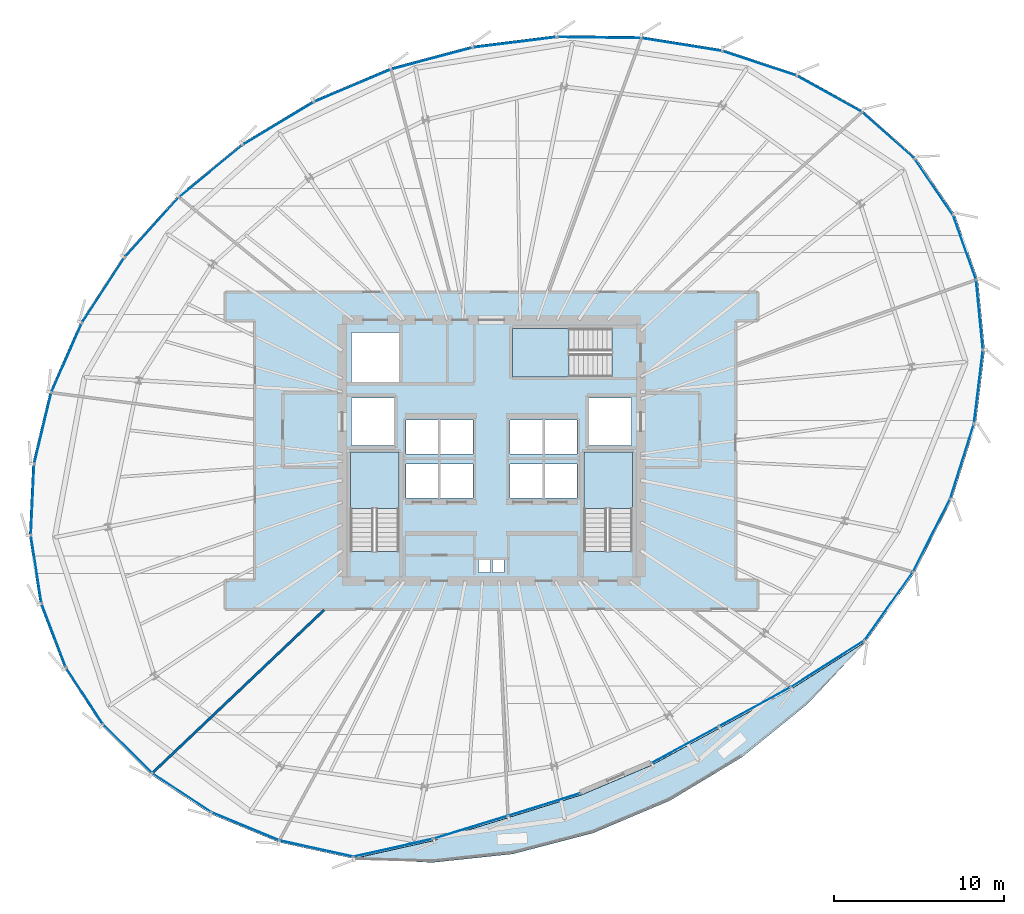
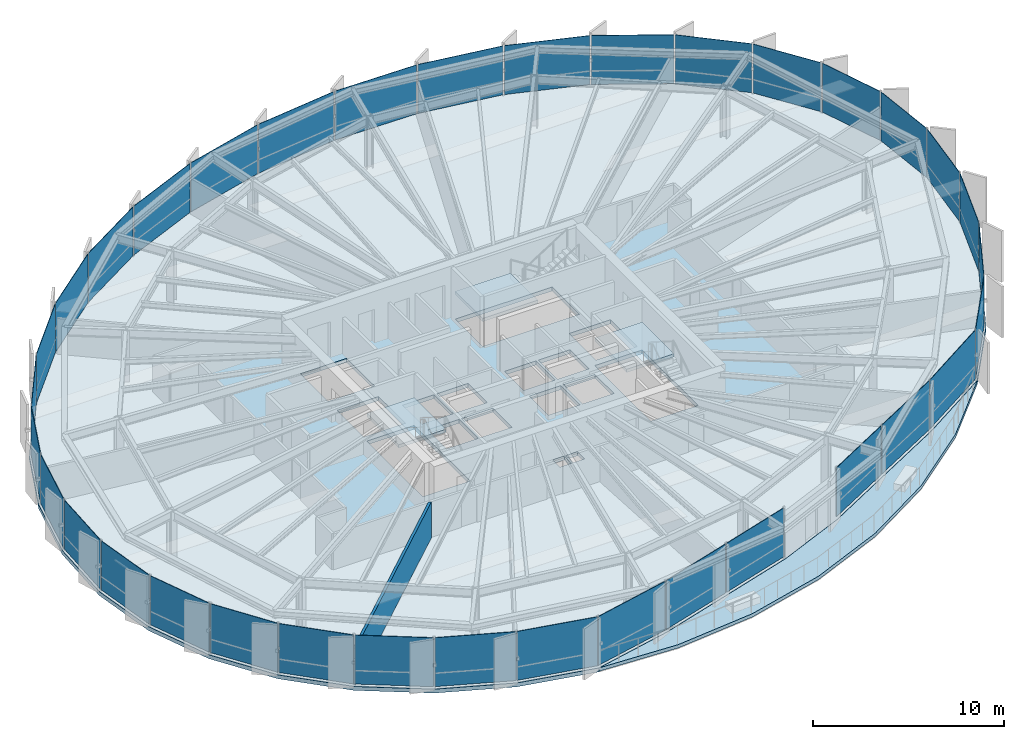
# One storey, part 28 of 36: 35 plates, 5 slabs, 1 wall, 10 elements without a shape of their own.
"""IFC4 building model written with IfcOpenShell, lengths in metres."""

from ifc_helpers import new_model, si_unit, direction, frame, frame_2d, origin, origin_2d, place, context, subcontext, project, spatial, polyline, rectangle, outline, extrude, source, transform, mapped, material, layer, layer_set, type_object, element, aggregate, save


model = new_model("IFC4")

# Units and contexts
model_context = context("Model", 3, precision=1e-05, world=origin(), true_north=direction((0.0, 1.0)))
body_context = subcontext(model_context, "Body", "Model", "MODEL_VIEW")
ifc_project = project(units=[si_unit("LENGTHUNIT", "METRE"), si_unit("AREAUNIT", "SQUARE_METRE"), si_unit("VOLUMEUNIT", "CUBIC_METRE"), si_unit("PLANEANGLEUNIT", "RADIAN"), si_unit("MASSUNIT", "GRAM", prefix="KILO"), si_unit("THERMODYNAMICTEMPERATUREUNIT", "KELVIN")], contexts=[model_context])

# Site, building, storey
site_placement = place(None, origin())
site = spatial("IfcSite", under=ifc_project, at=site_placement, CompositionType="ELEMENT")
building_placement = place(site_placement, origin())
building = spatial("IfcBuilding", under=site, at=building_placement, Name="Kethvar Cultural Tower", CompositionType="ELEMENT")
storey_placement = place(building_placement, frame((0.0, 0.0, 143.0)))
storey = spatial("IfcBuildingStorey", under=building, at=storey_placement, Name="L36", CompositionType="ELEMENT", Elevation=143.0)

# Stair, slab
ifc_material_1 = material(Name="Concrete C40/50", Category="concrete")
stair_type = type_object("IfcStairType", Name="ST-DOGLEG-135", PredefinedType="HALF_TURN_STAIR", material=ifc_material_1)
stair_1_placement = place(storey_placement, origin())
stair_1 = element("IfcStair", 1, at=stair_1_placement, inside=storey, type_object=stair_type, Name="L36 Core Exit Stair 1", PredefinedType="HALF_TURN_STAIR")
ifc_layer_1 = layer(ifc_material_1, 0.199951171875, Name="Concrete C40/50", Category="concrete")
ifc_layer_set_1 = layer_set([ifc_layer_1], Name="Concrete C40/50 (200 mm)")
slab_type_1 = type_object("IfcSlabType", Name="SL-STAIR-LANDING-200", PredefinedType="LANDING", material=ifc_layer_set_1)
slab_1_placement = place(storey_placement, frame((0.0, 0.0, 1.574951171875)))
slab_1 = element("IfcSlab", 2, at=slab_1_placement, type_object=slab_type_1, Name="ST-01 landing 1", PredefinedType="LANDING", context=body_context, shape_type="SweptSolid", body=[
    extrude(outline(polyline([(41.35009765625, 24.3701171875), (41.35009765625, 27.699951171875), (38.489990234375, 27.699951171875), (38.489990234375, 24.3701171875), (41.35009765625, 24.3701171875)])), origin(), (0.0, 0.0, 1.0), 0.199951171875),
])
aggregate(stair_1, [slab_1])

stair_2_placement = place(storey_placement, origin())
stair_2 = element("IfcStair", 3, at=stair_2_placement, inside=storey, type_object=stair_type, Name="L36 Core Exit Stair 2", PredefinedType="HALF_TURN_STAIR")
slab_2_placement = place(storey_placement, frame((0.0, 0.0, 1.574951171875)))
slab_2 = element("IfcSlab", 4, at=slab_2_placement, type_object=slab_type_1, Name="ST-02 landing 1", PredefinedType="LANDING", context=body_context, shape_type="SweptSolid", body=[
    extrude(outline(polyline([(55.110107421875, 24.3701171875), (55.110107421875, 27.699951171875), (52.25, 27.699951171875), (52.25, 24.3701171875), (55.110107421875, 24.3701171875)])), origin(), (0.0, 0.0, 1.0), 0.199951171875),
])
aggregate(stair_2, [slab_2])

stair_3_placement = place(storey_placement, origin())
stair_3 = element("IfcStair", 5, at=stair_3_placement, inside=storey, type_object=stair_type, Name="L36 Core Exit Stair 3", PredefinedType="HALF_TURN_STAIR")
slab_3_placement = place(storey_placement, frame((0.0, 0.0, 1.574951171875)))
slab_3 = element("IfcSlab", 6, at=slab_3_placement, type_object=slab_type_1, Name="ST-03 landing 1", PredefinedType="LANDING", context=body_context, shape_type="SweptSolid", body=[
    extrude(outline(polyline([(51.3798828125, 35.010009765625), (48.050048828125, 35.010009765625), (48.050048828125, 32.14990234375), (51.3798828125, 32.14990234375), (51.3798828125, 35.010009765625)])), origin(), (0.0, 0.0, 1.0), 0.199951171875),
])
aggregate(stair_3, [slab_3])

# Slabs
ifc_layer_2 = layer(ifc_material_1, 0.215087890625, Name="Concrete C40/50", Category="concrete")
ifc_layer_set_2 = layer_set([ifc_layer_2], Name="Concrete C40/50 (215 mm)")
slab_type_2 = type_object("IfcSlabType", Name="SL-TER-EXT", PredefinedType="FLOOR", material=ifc_layer_set_2)
slab_4_placement = place(storey_placement, frame((0.0, 0.0, -0.215087890625)))
element("IfcSlab", 7, at=slab_4_placement, inside=storey, type_object=slab_type_2, Name="L36 Spiralling Sky Terrace Deck", PredefinedType="FLOOR", context=body_context, shape_type="SweptSolid", body=[
    extrude(outline(polyline([(38.667236328125, 3.727783203125), (43.316650390625, 3.495849609375), (48.072021484375, 4.002197265625), (52.78857421875, 5.23193359375), (57.322998046875, 7.147216796875), (61.56494140625, 9.70361328125), (65.451416015625, 12.857666015625), (68.887939453125, 16.52490234375), (64.506103515625, 13.739013671875), (60.263916015625, 11.430419921875), (56.25634765625, 9.240966796875), (52.101318359375, 7.479248046875), (47.808349609375, 6.148193359375), (43.38427734375, 4.78662109375), (38.667236328125, 3.727783203125)])), origin(), (0.0, 0.0, 1.0), 0.215087890625),
])
ifc_layer_3 = layer(ifc_material_1, 0.25, Name="Concrete C40/50", Category="concrete")
ifc_layer_set_3 = layer_set([ifc_layer_3], Name="Concrete C40/50 (250 mm)")
slab_type_3 = type_object("IfcSlabType", Name="SL-TOW-250", PredefinedType="FLOOR", material=ifc_layer_set_3)
slab_5_placement = place(storey_placement, frame((0.0, 0.0, -0.25)))
element("IfcSlab", 8, at=slab_5_placement, inside=storey, type_object=slab_type_3, Name="L36 Structural Floor Slab", PredefinedType="FLOOR", context=body_context, shape_type="SweptSolid", body=[
    extrude(outline(polyline([(74.131591796875, 41.726318359375), (71.84130859375, 45.07666015625), (68.705322265625, 47.85888671875), (64.84912109375, 50.003662109375), (60.433349609375, 51.468505859375), (55.64111328125, 52.233154296875), (50.661376953125, 52.296875), (45.67431640625, 51.672119140625), (40.83837890625, 50.3818359375), (36.27685546875, 48.452880859375), (32.06201171875, 45.909912109375), (28.294921875, 42.81689453125), (25.090087890625, 39.267578125), (22.544921875, 35.369873046875), (20.73681640625, 31.241943359375), (19.720458984375, 27.009521484375), (19.52685546875, 22.80126953125), (20.162109375, 18.74462890625), (21.606689453125, 14.96337890625), (23.81689453125, 11.572021484375), (26.72509765625, 8.673828125), (30.243408203125, 6.356689453125), (34.264892578125, 4.691162109375), (38.667236328125, 3.727783203125), (43.38427734375, 4.78662109375), (47.808349609375, 6.148193359375), (52.101318359375, 7.479248046875), (56.25634765625, 9.240966796875), (60.263916015625, 11.430419921875), (64.506103515625, 13.739013671875), (68.887939453125, 16.52490234375), (71.763427734375, 20.59130859375), (73.961669921875, 24.917724609375), (75.3720703125, 29.350830078125), (75.903564453125, 33.7314453125), (75.49609375, 37.904052734375), (74.131591796875, 41.726318359375)]), holes=[polyline([(38.489990234375, 21.85009765625), (38.489990234375, 27.699951171875), (41.35009765625, 27.699951171875), (41.35009765625, 21.85009765625), (38.489990234375, 21.85009765625)]), polyline([(52.25, 21.85009765625), (52.25, 27.699951171875), (55.110107421875, 27.699951171875), (55.110107421875, 21.85009765625), (52.25, 21.85009765625)]), polyline([(53.89990234375, 32.14990234375), (48.050048828125, 32.14990234375), (48.050048828125, 35.010009765625), (53.89990234375, 35.010009765625), (53.89990234375, 32.14990234375)]), polyline([(41.75, 27.0), (43.64990234375, 27.0), (43.64990234375, 25.0), (41.75, 25.0), (41.75, 27.0)]), polyline([(43.800048828125, 27.0), (45.699951171875, 27.0), (45.699951171875, 25.0), (43.800048828125, 25.0), (43.800048828125, 27.0)]), polyline([(47.89990234375, 27.0), (49.800048828125, 27.0), (49.800048828125, 25.0), (47.89990234375, 25.0), (47.89990234375, 27.0)]), polyline([(49.949951171875, 27.0), (51.85009765625, 27.0), (51.85009765625, 25.0), (49.949951171875, 25.0), (49.949951171875, 27.0)]), polyline([(41.75, 29.60009765625), (43.64990234375, 29.60009765625), (43.64990234375, 27.60009765625), (41.75, 27.60009765625), (41.75, 29.60009765625)]), polyline([(43.800048828125, 29.60009765625), (45.699951171875, 29.60009765625), (45.699951171875, 27.60009765625), (43.800048828125, 27.60009765625), (43.800048828125, 29.60009765625)]), polyline([(47.89990234375, 29.60009765625), (49.800048828125, 29.60009765625), (49.800048828125, 27.60009765625), (47.89990234375, 27.60009765625), (47.89990234375, 29.60009765625)]), polyline([(49.949951171875, 29.60009765625), (51.85009765625, 29.60009765625), (51.85009765625, 27.60009765625), (49.949951171875, 27.60009765625), (49.949951171875, 29.60009765625)]), polyline([(38.550048828125, 30.89990234375), (41.050048828125, 30.89990234375), (41.050048828125, 28.10009765625), (38.550048828125, 28.10009765625), (38.550048828125, 30.89990234375)]), polyline([(52.550048828125, 30.89990234375), (55.050048828125, 30.89990234375), (55.050048828125, 28.10009765625), (52.550048828125, 28.10009765625), (52.550048828125, 30.89990234375)]), polyline([(38.550048828125, 34.75), (41.35009765625, 34.75), (41.35009765625, 31.85009765625), (38.550048828125, 31.85009765625), (38.550048828125, 34.75)]), polyline([(46.050048828125, 21.35009765625), (46.75, 21.35009765625), (46.75, 20.60009765625), (46.050048828125, 20.60009765625), (46.050048828125, 21.35009765625)]), polyline([(46.85009765625, 21.35009765625), (47.550048828125, 21.35009765625), (47.550048828125, 20.60009765625), (46.85009765625, 20.60009765625), (46.85009765625, 21.35009765625)])]), origin(), (0.0, 0.0, 1.0), 0.25),
])

# Curtain wall, plate
ifc_material_2 = material(Name="Aluminium 6063-T6", Category="aluminium")
ifc_layer_4 = layer(ifc_material_2, 0.179931640625, Name="Aluminium 6063-T6", Category="aluminium")
ifc_layer_set_4 = layer_set([ifc_layer_4], Name="Aluminium 6063-T6 (180 mm)")
curtain_wall_type = type_object("IfcCurtainWallType", Name="CW-SYS-04-Z34", PredefinedType="NOTDEFINED", material=ifc_layer_set_4)
curtain_wall_1_placement = place(storey_placement, origin())
curtain_wall_1 = element("IfcCurtainWall", 9, at=curtain_wall_1_placement, inside=storey, type_object=curtain_wall_type, Name="L36 Curtain Wall Run 01", PredefinedType="NOTDEFINED")
ifc_material_3 = material(Name="Insulated Low-E Solar Glass", Category="glass")
ifc_layer_5 = layer(ifc_material_3, 0.030029296875, Name="Insulated Low-E Solar Glass", Category="glass")
ifc_layer_set_5 = layer_set([ifc_layer_5], Name="Insulated Low-E Solar Glass (30 mm)")
plate_type = type_object("IfcPlateType", Name="CW-SYS-04-Z34-PNL", PredefinedType="CURTAIN_PANEL", material=ifc_layer_set_5)
shared_shape_1 = source(origin(), body_context, "Body", "SweptSolid", [
    extrude(rectangle(XDim=3.971923828125, YDim=0.030029296875, at=origin_2d()), origin(), (0.0, 0.0, 1.0), 3.1201171875),
])
plate_1_placement = place(storey_placement, frame((72.895751953125, 43.33935546875, 0.08984375), z_axis=(0.0, 0.0, 1.0), x_axis=(-0.564333195217, 0.825547118447, 0.0)))
plate_1 = element("IfcPlate", 10, at=plate_1_placement, type_object=plate_type, Name="CW-L36-R01 Vision Glazing Panel 1", PredefinedType="CURTAIN_PANEL", context=body_context, shape_type="MappedRepresentation", body=[
    mapped(shared_shape_1, transform((0.0, 0.0, 0.0), scale=1.0)),
])

curtain_wall_2_placement = place(storey_placement, origin())
curtain_wall_2 = element("IfcCurtainWall", 11, at=curtain_wall_2_placement, inside=storey, type_object=curtain_wall_type, Name="L36 Curtain Wall Run 07", PredefinedType="NOTDEFINED")
plate_2_placement = place(storey_placement, frame((74.710205078125, 39.778076171875, 0.08984375), z_axis=(0.0, 0.0, 1.0), x_axis=(-0.336174918954, 0.941799566716, 0.0)))
plate_2 = element("IfcPlate", 12, at=plate_2_placement, type_object=plate_type, Name="CW-L36-R07 Vision Glazing Panel 3", PredefinedType="CURTAIN_PANEL", context=body_context, shape_type="MappedRepresentation", body=[
    mapped(shared_shape_1, transform((0.0, 0.0, 0.0), scale=1.0)),
])

# Plate
shared_shape_2 = source(origin(), body_context, "Body", "SweptSolid", [
    extrude(rectangle(XDim=4.10595703125, YDim=0.030029296875, at=origin_2d()), origin(), (0.0, 0.0, 1.0), 3.1201171875),
])
plate_3_placement = place(storey_placement, frame((70.2001953125, 46.385498046875, 0.08984375), z_axis=(0.0, 0.0, 1.0), x_axis=(-0.748052964731, 0.663639029862, 0.0)))
plate_3 = element("IfcPlate", 13, at=plate_3_placement, type_object=plate_type, Name="CW-L36-R01 Vision Glazing Panel 2", PredefinedType="CURTAIN_PANEL", context=body_context, shape_type="MappedRepresentation", body=[
    mapped(shared_shape_2, transform((0.0, 0.0, 0.0), scale=1.0)),
])

plate_4_placement = place(storey_placement, frame((75.590087890625, 35.80712890625, 0.08984375), z_axis=(0.0, 0.0, 1.0), x_axis=(-0.097200752686, 0.995264795759, 0.0)))
plate_4 = element("IfcPlate", 14, at=plate_4_placement, type_object=plate_type, Name="CW-L36-R07 Vision Glazing Panel 2", PredefinedType="CURTAIN_PANEL", context=body_context, shape_type="MappedRepresentation", body=[
    mapped(shared_shape_2, transform((0.0, 0.0, 0.0), scale=1.0)),
])

shared_shape_3 = source(origin(), body_context, "Body", "SweptSolid", [
    extrude(rectangle(XDim=4.326416015625, YDim=0.030029296875, at=origin_2d()), origin(), (0.0, 0.0, 1.0), 3.1201171875),
])
plate_5_placement = place(storey_placement, frame((66.7236328125, 48.835205078125, 0.08984375), z_axis=(0.0, 0.0, 1.0), x_axis=(-0.873916483185, 0.486076105583, 0.0)))
plate_5 = element("IfcPlate", 15, at=plate_5_placement, type_object=plate_type, Name="CW-L36-R01 Vision Glazing Panel 3", PredefinedType="CURTAIN_PANEL", context=body_context, shape_type="MappedRepresentation", body=[
    mapped(shared_shape_3, transform((0.0, 0.0, 0.0), scale=1.0)),
])

plate_6_placement = place(storey_placement, frame((75.528564453125, 31.554443359375, 0.08984375), z_axis=(0.0, 0.0, 1.0), x_axis=(0.120431390575, 0.992721652914, 0.0)))
plate_6 = element("IfcPlate", 16, at=plate_6_placement, type_object=plate_type, Name="CW-L36-R07 Vision Glazing Panel 1", PredefinedType="CURTAIN_PANEL", context=body_context, shape_type="MappedRepresentation", body=[
    mapped(shared_shape_3, transform((0.0, 0.0, 0.0), scale=1.0)),
])

aggregate(curtain_wall_2, [plate_6, plate_4, plate_2])

shared_shape_4 = source(origin(), body_context, "Body", "SweptSolid", [
    extrude(rectangle(XDim=4.56591796875, YDim=0.030029296875, at=origin_2d()), origin(), (0.0, 0.0, 1.0), 3.1201171875),
])
plate_7_placement = place(storey_placement, frame((62.606689453125, 50.631591796875, 0.08984375), z_axis=(0.0, 0.0, 1.0), x_axis=(-0.949145611248, 0.314837432096, 0.0)))
plate_7 = element("IfcPlate", 17, at=plate_7_placement, type_object=plate_type, Name="CW-L36-R01 Vision Glazing Panel 4", PredefinedType="CURTAIN_PANEL", context=body_context, shape_type="MappedRepresentation", body=[
    mapped(shared_shape_4, transform((0.0, 0.0, 0.0), scale=1.0)),
])

# Curtain wall, plate
curtain_wall_3_placement = place(storey_placement, origin())
curtain_wall_3 = element("IfcCurtainWall", 18, at=curtain_wall_3_placement, inside=storey, type_object=curtain_wall_type, Name="L36 Curtain Wall Run 06", PredefinedType="NOTDEFINED")
plate_8_placement = place(storey_placement, frame((74.56201171875, 27.167724609375, 0.08984375), z_axis=(0.0, 0.0, 1.0), x_axis=(0.303168327696, 0.952937020522, 0.0)))
plate_8 = element("IfcPlate", 19, at=plate_8_placement, type_object=plate_type, Name="CW-L36-R06 Vision Glazing Panel 6", PredefinedType="CURTAIN_PANEL", context=body_context, shape_type="MappedRepresentation", body=[
    mapped(shared_shape_4, transform((0.0, 0.0, 0.0), scale=1.0)),
])

# Plate
shared_shape_5 = source(origin(), body_context, "Body", "SweptSolid", [
    extrude(rectangle(XDim=4.7666015625, YDim=0.030029296875, at=origin_2d()), origin(), (0.0, 0.0, 1.0), 3.1201171875),
])
plate_9_placement = place(storey_placement, frame((58.02001953125, 51.7421875, 0.08984375), z_axis=(0.0, 0.0, 1.0), x_axis=(-0.987507485779, 0.157572096294, 0.0)))
plate_9 = element("IfcPlate", 20, at=plate_9_placement, type_object=plate_type, Name="CW-L36-R01 Vision Glazing Panel 5", PredefinedType="CURTAIN_PANEL", context=body_context, shape_type="MappedRepresentation", body=[
    mapped(shared_shape_5, transform((0.0, 0.0, 0.0), scale=1.0)),
])

plate_10_placement = place(storey_placement, frame((72.764404296875, 22.80419921875, 0.08984375), z_axis=(0.0, 0.0, 1.0), x_axis=(0.452963832928, 0.891528892442, 0.0)))
plate_10 = element("IfcPlate", 21, at=plate_10_placement, type_object=plate_type, Name="CW-L36-R06 Vision Glazing Panel 5", PredefinedType="CURTAIN_PANEL", context=body_context, shape_type="MappedRepresentation", body=[
    mapped(shared_shape_5, transform((0.0, 0.0, 0.0), scale=1.0)),
])

shared_shape_6 = source(origin(), body_context, "Body", "SweptSolid", [
    extrude(rectangle(XDim=4.893798828125, YDim=0.030029296875, at=origin_2d()), origin(), (0.0, 0.0, 1.0), 3.1201171875),
])
plate_11_placement = place(storey_placement, frame((53.14990234375, 52.155029296875, 0.08984375), z_axis=(0.0, 0.0, 1.0), x_axis=(-0.999918167322, 0.012792914446, 0.0)))
plate_11 = element("IfcPlate", 22, at=plate_11_placement, type_object=plate_type, Name="CW-L36-R01 Vision Glazing Panel 6", PredefinedType="CURTAIN_PANEL", context=body_context, shape_type="MappedRepresentation", body=[
    mapped(shared_shape_6, transform((0.0, 0.0, 0.0), scale=1.0)),
])

aggregate(curtain_wall_1, [plate_1, plate_3, plate_5, plate_7, plate_9, plate_11])

plate_12_placement = place(storey_placement, frame((70.23583984375, 18.62158203125, 0.08984375), z_axis=(0.0, 0.0, 1.0), x_axis=(0.577387467056, 0.816470276793, 0.0)))
plate_12 = element("IfcPlate", 23, at=plate_12_placement, type_object=plate_type, Name="CW-L36-R06 Vision Glazing Panel 4", PredefinedType="CURTAIN_PANEL", context=body_context, shape_type="MappedRepresentation", body=[
    mapped(shared_shape_6, transform((0.0, 0.0, 0.0), scale=1.0)),
])

# Curtain wall, plates
curtain_wall_4_placement = place(storey_placement, origin())
curtain_wall_4 = element("IfcCurtainWall", 24, at=curtain_wall_4_placement, inside=storey, type_object=curtain_wall_type, Name="L36 Curtain Wall Run 02", PredefinedType="NOTDEFINED")
shared_shape_7 = source(origin(), body_context, "Body", "SweptSolid", [
    extrude(rectangle(XDim=4.939697265625, YDim=0.030029296875, at=origin_2d()), origin(), (0.0, 0.0, 1.0), 3.1201171875),
])
plate_13_placement = place(storey_placement, frame((48.181640625, 51.875244140625, 0.08984375), z_axis=(0.0, 0.0, 1.0), x_axis=(-0.99224757515, -0.124276906979, 0.0)))
plate_13 = element("IfcPlate", 25, at=plate_13_placement, type_object=plate_type, Name="CW-L36-R02 Vision Glazing Panel 1", PredefinedType="CURTAIN_PANEL", context=body_context, shape_type="MappedRepresentation", body=[
    mapped(shared_shape_7, transform((0.0, 0.0, 0.0), scale=1.0)),
])
shared_shape_8 = source(origin(), body_context, "Body", "SweptSolid", [
    extrude(rectangle(XDim=4.918701171875, YDim=0.030029296875, at=origin_2d()), origin(), (0.0, 0.0, 1.0), 3.1201171875),
])
plate_14_placement = place(storey_placement, frame((43.284912109375, 50.920654296875, 0.08984375), z_axis=(0.0, 0.0, 1.0), x_axis=(-0.966196331282, -0.257807388214, 0.0)))
plate_14 = element("IfcPlate", 26, at=plate_14_placement, type_object=plate_type, Name="CW-L36-R02 Vision Glazing Panel 2", PredefinedType="CURTAIN_PANEL", context=body_context, shape_type="MappedRepresentation", body=[
    mapped(shared_shape_8, transform((0.0, 0.0, 0.0), scale=1.0)),
])
shared_shape_9 = source(origin(), body_context, "Body", "SweptSolid", [
    extrude(rectangle(XDim=4.8662109375, YDim=0.030029296875, at=origin_2d()), origin(), (0.0, 0.0, 1.0), 3.1201171875),
])
plate_15_placement = place(storey_placement, frame((38.6005859375, 49.31591796875, 0.08984375), z_axis=(0.0, 0.0, 1.0), x_axis=(-0.921029126984, -0.3894937063, 0.0)))
plate_15 = element("IfcPlate", 27, at=plate_15_placement, type_object=plate_type, Name="CW-L36-R02 Vision Glazing Panel 3", PredefinedType="CURTAIN_PANEL", context=body_context, shape_type="MappedRepresentation", body=[
    mapped(shared_shape_9, transform((0.0, 0.0, 0.0), scale=1.0)),
])
shared_shape_10 = source(origin(), body_context, "Body", "SweptSolid", [
    extrude(rectangle(XDim=4.836181640625, YDim=0.030029296875, at=origin_2d()), origin(), (0.0, 0.0, 1.0), 3.1201171875),
])
plate_16_placement = place(storey_placement, frame((34.226318359375, 47.087158203125, 0.08984375), z_axis=(0.0, 0.0, 1.0), x_axis=(-0.856249053664, -0.516563217912, 0.0)))
plate_16 = element("IfcPlate", 28, at=plate_16_placement, type_object=plate_type, Name="CW-L36-R02 Vision Glazing Panel 4", PredefinedType="CURTAIN_PANEL", context=body_context, shape_type="MappedRepresentation", body=[
    mapped(shared_shape_10, transform((0.0, 0.0, 0.0), scale=1.0)),
])
shared_shape_11 = source(origin(), body_context, "Body", "SweptSolid", [
    extrude(rectangle(XDim=4.787841796875, YDim=0.030029296875, at=origin_2d()), origin(), (0.0, 0.0, 1.0), 3.1201171875),
])
plate_17_placement = place(storey_placement, frame((30.248291015625, 44.278564453125, 0.08984375), z_axis=(0.0, 0.0, 1.0), x_axis=(-0.772855418766, -0.634582147309, 0.0)))
plate_17 = element("IfcPlate", 29, at=plate_17_placement, type_object=plate_type, Name="CW-L36-R02 Vision Glazing Panel 5", PredefinedType="CURTAIN_PANEL", context=body_context, shape_type="MappedRepresentation", body=[
    mapped(shared_shape_11, transform((0.0, 0.0, 0.0), scale=1.0)),
])
shared_shape_12 = source(origin(), body_context, "Body", "SweptSolid", [
    extrude(rectangle(XDim=4.69580078125, YDim=0.030029296875, at=origin_2d()), origin(), (0.0, 0.0, 1.0), 3.1201171875),
])
plate_18_placement = place(storey_placement, frame((26.774169921875, 40.968505859375, 0.08984375), z_axis=(0.0, 0.0, 1.0), x_axis=(-0.670180533594, -0.742198122061, 0.0)))
plate_18 = element("IfcPlate", 30, at=plate_18_placement, type_object=plate_type, Name="CW-L36-R02 Vision Glazing Panel 6", PredefinedType="CURTAIN_PANEL", context=body_context, shape_type="MappedRepresentation", body=[
    mapped(shared_shape_12, transform((0.0, 0.0, 0.0), scale=1.0)),
])
aggregate(curtain_wall_4, [plate_13, plate_14, plate_15, plate_16, plate_17, plate_18])

curtain_wall_5_placement = place(storey_placement, origin())
curtain_wall_5 = element("IfcCurtainWall", 31, at=curtain_wall_5_placement, inside=storey, type_object=curtain_wall_type, Name="L36 Curtain Wall Run 03", PredefinedType="NOTDEFINED")
shared_shape_13 = source(origin(), body_context, "Body", "SweptSolid", [
    extrude(rectangle(XDim=4.56884765625, YDim=0.030029296875, at=origin_2d()), origin(), (0.0, 0.0, 1.0), 3.1201171875),
])
plate_19_placement = place(storey_placement, frame((23.909423828125, 37.258544921875, 0.08984375), z_axis=(0.0, 0.0, 1.0), x_axis=(-0.546730508005, -0.837308635819, 0.0)))
plate_19 = element("IfcPlate", 32, at=plate_19_placement, type_object=plate_type, Name="CW-L36-R03 Vision Glazing Panel 1", PredefinedType="CURTAIN_PANEL", context=body_context, shape_type="MappedRepresentation", body=[
    mapped(shared_shape_13, transform((0.0, 0.0, 0.0), scale=1.0)),
])
shared_shape_14 = source(origin(), body_context, "Body", "SweptSolid", [
    extrude(rectangle(XDim=4.420166015625, YDim=0.030029296875, at=origin_2d()), origin(), (0.0, 0.0, 1.0), 3.1201171875),
])
plate_20_placement = place(storey_placement, frame((21.74169921875, 33.26171875, 0.08984375), z_axis=(0.0, 0.0, 1.0), x_axis=(-0.401244479811, -0.915970997042, 0.0)))
plate_20 = element("IfcPlate", 33, at=plate_20_placement, type_object=plate_type, Name="CW-L36-R03 Vision Glazing Panel 2", PredefinedType="CURTAIN_PANEL", context=body_context, shape_type="MappedRepresentation", body=[
    mapped(shared_shape_14, transform((0.0, 0.0, 0.0), scale=1.0)),
])

# Curtain wall, plate
curtain_wall_6_placement = place(storey_placement, origin())
curtain_wall_6 = element("IfcCurtainWall", 34, at=curtain_wall_6_placement, inside=storey, type_object=curtain_wall_type, Name="L36 Curtain Wall Run 04", PredefinedType="NOTDEFINED")
plate_21_placement = place(storey_placement, frame((36.489501953125, 4.31689453125, 0.08984375), z_axis=(0.0, 0.0, 1.0), x_axis=(0.976881690758, -0.213780640523, 0.0)))
plate_21 = element("IfcPlate", 35, at=plate_21_placement, type_object=plate_type, Name="CW-L36-R04 Vision Glazing Panel 5", PredefinedType="CURTAIN_PANEL", context=body_context, shape_type="MappedRepresentation", body=[
    mapped(shared_shape_14, transform((0.0, 0.0, 0.0), scale=1.0)),
])

# Plate
shared_shape_15 = source(origin(), body_context, "Body", "SweptSolid", [
    extrude(rectangle(XDim=4.266357421875, YDim=0.030029296875, at=origin_2d()), origin(), (0.0, 0.0, 1.0), 3.1201171875),
])
plate_22_placement = place(storey_placement, frame((20.33544921875, 29.10009765625, 0.08984375), z_axis=(0.0, 0.0, 1.0), x_axis=(-0.233479305827, -0.972361771025, 0.0)))
plate_22 = element("IfcPlate", 36, at=plate_22_placement, type_object=plate_type, Name="CW-L36-R03 Vision Glazing Panel 3", PredefinedType="CURTAIN_PANEL", context=body_context, shape_type="MappedRepresentation", body=[
    mapped(shared_shape_15, transform((0.0, 0.0, 0.0), scale=1.0)),
])

plate_23_placement = place(storey_placement, frame((32.29638671875, 5.62548828125, 0.08984375), z_axis=(0.0, 0.0, 1.0), x_axis=(0.923899568503, -0.382635057621, 0.0)))
plate_23 = element("IfcPlate", 37, at=plate_23_placement, type_object=plate_type, Name="CW-L36-R04 Vision Glazing Panel 4", PredefinedType="CURTAIN_PANEL", context=body_context, shape_type="MappedRepresentation", body=[
    mapped(shared_shape_15, transform((0.0, 0.0, 0.0), scale=1.0)),
])

shared_shape_16 = source(origin(), body_context, "Body", "SweptSolid", [
    extrude(rectangle(XDim=4.12646484375, YDim=0.030029296875, at=origin_2d()), origin(), (0.0, 0.0, 1.0), 3.1201171875),
])
plate_24_placement = place(storey_placement, frame((19.733642578125, 24.900390625, 0.08984375), z_axis=(0.0, 0.0, 1.0), x_axis=(-0.045938346317, -0.998944276893, 0.0)))
plate_24 = element("IfcPlate", 38, at=plate_24_placement, type_object=plate_type, Name="CW-L36-R03 Vision Glazing Panel 4", PredefinedType="CURTAIN_PANEL", context=body_context, shape_type="MappedRepresentation", body=[
    mapped(shared_shape_16, transform((0.0, 0.0, 0.0), scale=1.0)),
])

shared_shape_17 = source(origin(), body_context, "Body", "SweptSolid", [
    extrude(rectangle(XDim=4.01953125, YDim=0.030029296875, at=origin_2d()), origin(), (0.0, 0.0, 1.0), 3.1201171875),
])
plate_25_placement = place(storey_placement, frame((19.953125, 20.7900390625, 0.08984375), z_axis=(0.0, 0.0, 1.0), x_axis=(0.154710386299, -0.987959865769, 0.0)))
plate_25 = element("IfcPlate", 39, at=plate_25_placement, type_object=plate_type, Name="CW-L36-R03 Vision Glazing Panel 5", PredefinedType="CURTAIN_PANEL", context=body_context, shape_type="MappedRepresentation", body=[
    mapped(shared_shape_17, transform((0.0, 0.0, 0.0), scale=1.0)),
])

plate_26_placement = place(storey_placement, frame((25.3486328125, 10.20068359375, 0.08984375), z_axis=(0.0, 0.0, 1.0), x_axis=(0.708339837725, -0.705871570679, 0.0)))
plate_26 = element("IfcPlate", 40, at=plate_26_placement, type_object=plate_type, Name="CW-L36-R04 Vision Glazing Panel 2", PredefinedType="CURTAIN_PANEL", context=body_context, shape_type="MappedRepresentation", body=[
    mapped(shared_shape_17, transform((0.0, 0.0, 0.0), scale=1.0)),
])

shared_shape_18 = source(origin(), body_context, "Body", "SweptSolid", [
    extrude(rectangle(XDim=3.96142578125, YDim=0.030029296875, at=origin_2d()), origin(), (0.0, 0.0, 1.0), 3.1201171875),
])
plate_27_placement = place(storey_placement, frame((20.987060546875, 16.893310546875, 0.08984375), z_axis=(0.0, 0.0, 1.0), x_axis=(0.356884739414, -0.934148426522, 0.0)))
plate_27 = element("IfcPlate", 41, at=plate_27_placement, type_object=plate_type, Name="CW-L36-R03 Vision Glazing Panel 6", PredefinedType="CURTAIN_PANEL", context=body_context, shape_type="MappedRepresentation", body=[
    mapped(shared_shape_18, transform((0.0, 0.0, 0.0), scale=1.0)),
])

aggregate(curtain_wall_5, [plate_19, plate_20, plate_22, plate_24, plate_25, plate_27])

plate_28_placement = place(storey_placement, frame((22.803955078125, 13.327880859375, 0.08984375), z_axis=(0.0, 0.0, 1.0), x_axis=(0.545984988093, -0.837794958672, 0.0)))
plate_28 = element("IfcPlate", 42, at=plate_28_placement, type_object=plate_type, Name="CW-L36-R04 Vision Glazing Panel 1", PredefinedType="CURTAIN_PANEL", context=body_context, shape_type="MappedRepresentation", body=[
    mapped(shared_shape_18, transform((0.0, 0.0, 0.0), scale=1.0)),
])

shared_shape_19 = source(origin(), body_context, "Body", "SweptSolid", [
    extrude(rectangle(XDim=4.126220703125, YDim=0.030029296875, at=origin_2d()), origin(), (0.0, 0.0, 1.0), 3.1201171875),
])
plate_29_placement = place(storey_placement, frame((28.544921875, 7.607177734375, 0.08984375), z_axis=(0.0, 0.0, 1.0), x_axis=(0.835155179485, -0.550014387247, 0.0)))
plate_29 = element("IfcPlate", 43, at=plate_29_placement, type_object=plate_type, Name="CW-L36-R04 Vision Glazing Panel 3", PredefinedType="CURTAIN_PANEL", context=body_context, shape_type="MappedRepresentation", body=[
    mapped(shared_shape_19, transform((0.0, 0.0, 0.0), scale=1.0)),
])

shared_shape_20 = source(origin(), body_context, "Body", "SweptSolid", [
    extrude(rectangle(XDim=4.748046875, YDim=0.030029296875, at=origin_2d()), origin(), (0.0, 0.0, 1.0), 3.1201171875),
])
plate_30_placement = place(storey_placement, frame((41.001708984375, 4.364501953125, 0.08984375), z_axis=(0.0, 0.0, 1.0), x_axis=(0.975726024471, 0.218994806262, 0.0)))
plate_30 = element("IfcPlate", 44, at=plate_30_placement, type_object=plate_type, Name="CW-L36-R04 Vision Glazing Panel 6", PredefinedType="CURTAIN_PANEL", context=body_context, shape_type="MappedRepresentation", body=[
    mapped(shared_shape_20, transform((0.0, 0.0, 0.0), scale=1.0)),
])

aggregate(curtain_wall_6, [plate_28, plate_26, plate_29, plate_23, plate_21, plate_30])

# Curtain wall, plates
curtain_wall_7_placement = place(storey_placement, origin())
curtain_wall_7 = element("IfcCurtainWall", 45, at=curtain_wall_7_placement, inside=storey, type_object=curtain_wall_type, Name="L36 Curtain Wall Run 05", PredefinedType="NOTDEFINED")
shared_shape_21 = source(origin(), body_context, "Body", "SweptSolid", [
    extrude(rectangle(XDim=4.54248046875, YDim=0.030029296875, at=origin_2d()), origin(), (0.0, 0.0, 1.0), 3.1201171875),
])
plate_31_placement = place(storey_placement, frame((45.56396484375, 5.572509765625, 0.08984375), z_axis=(0.0, 0.0, 1.0), x_axis=(0.955751949707, 0.294173776246, 0.0)))
plate_31 = element("IfcPlate", 46, at=plate_31_placement, type_object=plate_type, Name="CW-L36-R05 Vision Glazing Panel 1", PredefinedType="CURTAIN_PANEL", context=body_context, shape_type="MappedRepresentation", body=[
    mapped(shared_shape_21, transform((0.0, 0.0, 0.0), scale=1.0)),
])
shared_shape_22 = source(origin(), body_context, "Body", "SweptSolid", [
    extrude(rectangle(XDim=4.408203125, YDim=0.030029296875, at=origin_2d()), origin(), (0.0, 0.0, 1.0), 3.1201171875),
])
plate_32_placement = place(storey_placement, frame((49.92236328125, 6.918701171875, 0.08984375), z_axis=(0.0, 0.0, 1.0), x_axis=(0.955144075714, 0.296141511153, 0.0)))
plate_32 = element("IfcPlate", 47, at=plate_32_placement, type_object=plate_type, Name="CW-L36-R05 Vision Glazing Panel 2", PredefinedType="CURTAIN_PANEL", context=body_context, shape_type="MappedRepresentation", body=[
    mapped(shared_shape_22, transform((0.0, 0.0, 0.0), scale=1.0)),
])
aggregate(curtain_wall_7, [plate_31, plate_32])

# Plate
shared_shape_23 = source(origin(), body_context, "Body", "SweptSolid", [
    extrude(rectangle(XDim=4.47998046875, YDim=0.030029296875, at=origin_2d()), origin(), (0.0, 0.0, 1.0), 3.1201171875),
])
plate_33_placement = place(storey_placement, frame((58.20751953125, 10.43212890625, 0.08984375), z_axis=(0.0, 0.0, 1.0), x_axis=(0.877581639421, 0.47942722717, 0.0)))
plate_33 = element("IfcPlate", 48, at=plate_33_placement, type_object=plate_type, Name="CW-L36-R06 Vision Glazing Panel 1", PredefinedType="CURTAIN_PANEL", context=body_context, shape_type="MappedRepresentation", body=[
    mapped(shared_shape_23, transform((0.0, 0.0, 0.0), scale=1.0)),
])

shared_shape_24 = source(origin(), body_context, "Body", "SweptSolid", [
    extrude(rectangle(XDim=4.74365234375, YDim=0.030029296875, at=origin_2d()), origin(), (0.0, 0.0, 1.0), 3.1201171875),
])
plate_34_placement = place(storey_placement, frame((62.33251953125, 12.681396484375, 0.08984375), z_axis=(0.0, 0.0, 1.0), x_axis=(0.878350325458, 0.478017474332, 0.0)))
plate_34 = element("IfcPlate", 49, at=plate_34_placement, type_object=plate_type, Name="CW-L36-R06 Vision Glazing Panel 2", PredefinedType="CURTAIN_PANEL", context=body_context, shape_type="MappedRepresentation", body=[
    mapped(shared_shape_24, transform((0.0, 0.0, 0.0), scale=1.0)),
])

shared_shape_25 = source(origin(), body_context, "Body", "SweptSolid", [
    extrude(rectangle(XDim=5.10595703125, YDim=0.030029296875, at=origin_2d()), origin(), (0.0, 0.0, 1.0), 3.1201171875),
])
plate_35_placement = place(storey_placement, frame((66.637939453125, 15.224853515625, 0.08984375), z_axis=(0.0, 0.0, 1.0), x_axis=(0.843878736058, 0.536533949373, 0.0)))
plate_35 = element("IfcPlate", 50, at=plate_35_placement, type_object=plate_type, Name="CW-L36-R06 Vision Glazing Panel 3", PredefinedType="CURTAIN_PANEL", context=body_context, shape_type="MappedRepresentation", body=[
    mapped(shared_shape_25, transform((0.0, 0.0, 0.0), scale=1.0)),
])

aggregate(curtain_wall_3, [plate_33, plate_34, plate_35, plate_12, plate_10, plate_8])

# Wall
ifc_material_4 = material(Name="Gypsum Acoustic Partition")
ifc_layer_6 = layer(ifc_material_4, 0.14990234375, Name="Gypsum Acoustic Partition")
ifc_layer_set_6 = layer_set([ifc_layer_6], Name="Gypsum Acoustic Partition (150 mm)")
wall_type = type_object("IfcWallType", Name="WL-PART-150", PredefinedType="PARTITIONING", material=ifc_layer_set_6)
wall_placement = place(storey_placement, frame((36.92822265625, 18.39501953125, 0.0), z_axis=(0.0, 0.0, 1.0), x_axis=(-0.7252158145, -0.688521620865, 0.0)))
element("IfcWall", 51, at=wall_placement, inside=storey, type_object=wall_type, Name="L36 Radial Partition Wall 01", PredefinedType="PARTITIONING", context=body_context, shape_type="SweptSolid", body=[
    extrude(rectangle(XDim=13.885498046875, YDim=0.14990234375, at=frame_2d((6.94287109375, 0.0))), origin(), (0.0, 0.0, 1.0), 2.304931640625),
])

save(model, "model.ifc")
